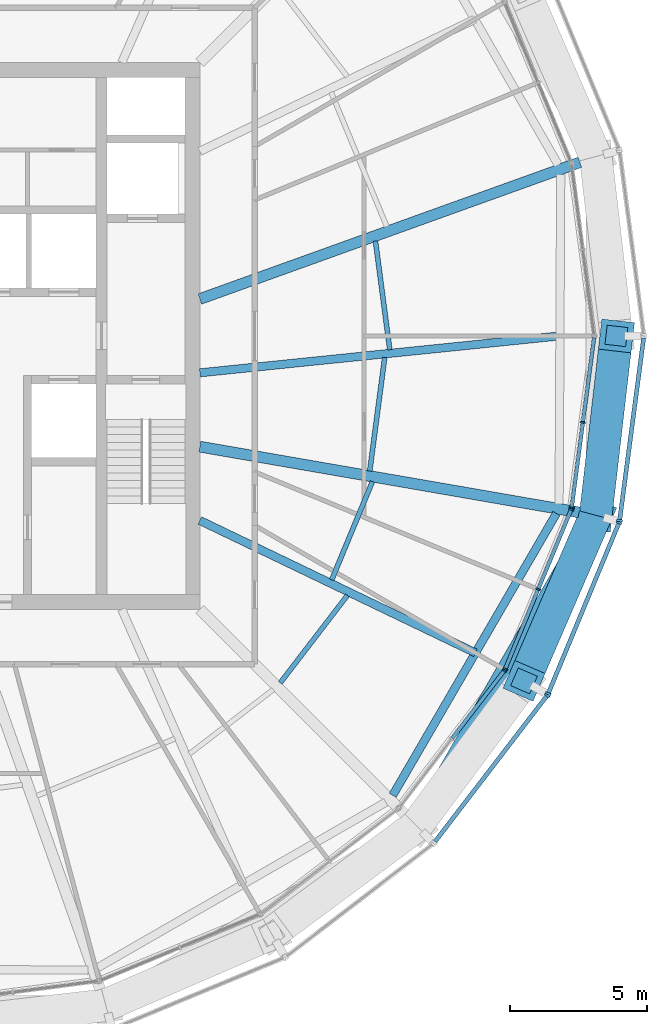
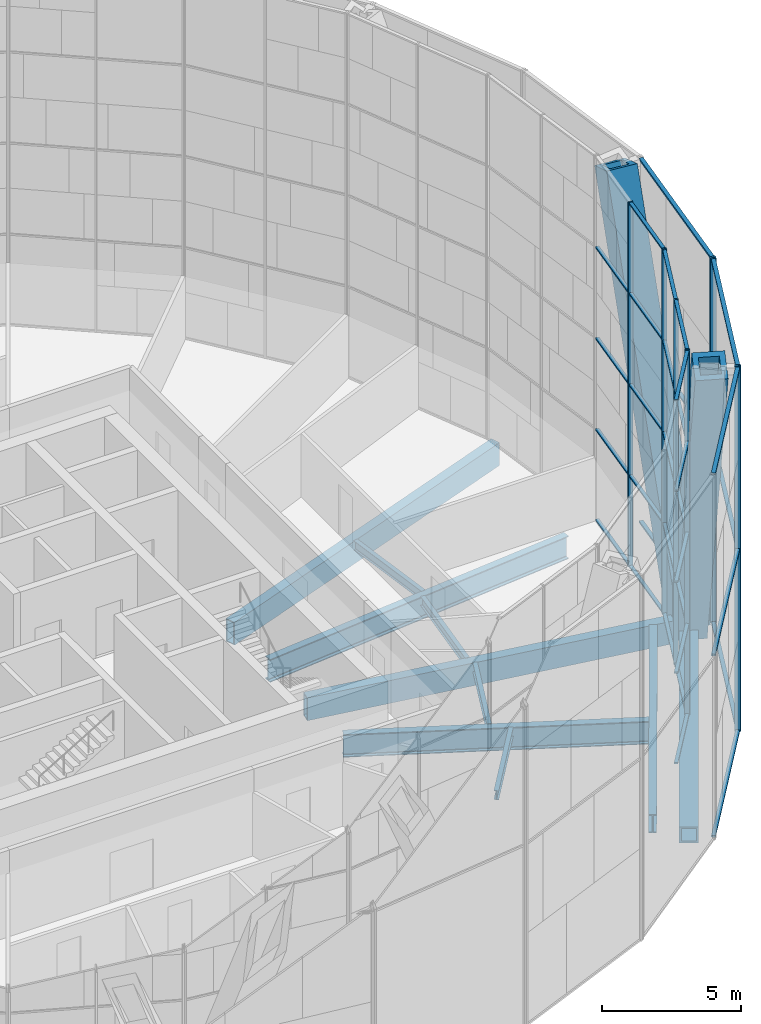
# One storey, part 6 of 28: 45 members, 10 beams, 6 elements without a shape of their own.
"""IFC4 building model written with IfcOpenShell, lengths in metres."""

import ifcopenshell
import ifcopenshell.guid

model = None  # the IFC model being written
_history = None  # IfcOwnerHistory: only IFC2X3 demands one
_inside = {}  # id of a spatial element -> (the spatial element, [elements in it])
_under = {}  # id of a project, library or spatial element -> (it, [spatial elements below it])
_declared = {}  # id of a project -> (the project, [libraries it declares])
_typed = {}  # id of a type object -> (the type object, [elements of that type])
_made_of = {}  # id of a material, layer set ... -> (it, [elements and type objects made of it])


def new_model(schema):
    """Start an empty IFC model of exactly this schema.

    Asked for "IFC4X3", IfcOpenShell would pick the latest addendum, in which some entities
    have other attributes; the version numbers below select the first issue.
    IFC2X3 requires an IfcOwnerHistory on every rooted entity: one is made here for all.
    """
    global model, _history
    if schema == "IFC4X3":
        model = ifcopenshell.file(schema_version=(4, 3, 0, 0))
    else:
        model = ifcopenshell.file(schema=schema)
    _inside.clear()
    _under.clear()
    _declared.clear()
    _typed.clear()
    _made_of.clear()
    _history = None
    if model.schema == "IFC2X3":
        org = make("IfcOrganization", Name="unknown")
        user = make(
            "IfcPersonAndOrganization",
            ThePerson=make("IfcPerson", FamilyName="unknown"),
            TheOrganization=org,
        )
        app = make(
            "IfcApplication",
            ApplicationDeveloper=org,
            Version="unknown",
            ApplicationFullName="unknown",
            ApplicationIdentifier="unknown",
        )
        _history = make(
            "IfcOwnerHistory",
            OwningUser=user,
            OwningApplication=app,
            ChangeAction="ADDED",
            CreationDate=0,
        )
    return model


def make(cls, **values):
    """One entity of the class cls with the attributes given. An attribute that is None is left unset."""
    return model.create_entity(
        cls, **{name: value for name, value in values.items() if value is not None}
    )


def rooted(cls, **values):
    """An entity with a GlobalId (a new one), such as an element, a storey or a relation."""
    return make(cls, GlobalId=ifcopenshell.guid.new(), OwnerHistory=_history, **values)


def si_unit(unit_type, name, prefix=None):
    """IfcSIUnit, for example si_unit("LENGTHUNIT", "METRE", prefix="MILLI")."""
    return make("IfcSIUnit", UnitType=unit_type, Prefix=prefix, Name=name)


def assignment(units):
    """IfcUnitAssignment: the units of a project."""
    return None if units is None else make("IfcUnitAssignment", Units=units)


def point(xyz):
    """IfcCartesianPoint."""
    return None if xyz is None else make("IfcCartesianPoint", Coordinates=xyz)


def direction(xyz):
    """IfcDirection."""
    return None if xyz is None else make("IfcDirection", DirectionRatios=xyz)


def frame(location, z_axis=None, x_axis=None):
    """IfcAxis2Placement3D, a coordinate frame: its origin and axes. An axis left out is left unset."""
    return make(
        "IfcAxis2Placement3D",
        Location=point(location),
        Axis=direction(z_axis),
        RefDirection=direction(x_axis),
    )


def frame_2d(location, x_axis=None):
    """IfcAxis2Placement2D, a coordinate frame in the plane: its origin and x axis."""
    return make(
        "IfcAxis2Placement2D", Location=point(location), RefDirection=direction(x_axis)
    )


def origin():
    """The frame at (0, 0, 0) with its axes left unset."""
    return frame((0.0, 0.0, 0.0))


def origin_2d():
    """The frame at (0, 0) in the plane with its x axis left unset."""
    return frame_2d((0.0, 0.0))


def place(relative_to, where):
    """IfcLocalPlacement: puts the frame where relative to a parent placement (None: the world)."""
    return make(
        "IfcLocalPlacement", PlacementRelTo=relative_to, RelativePlacement=where
    )


def context(
    kind, dimensions, precision=None, world=None, true_north=None, identifier=None
):
    """IfcGeometricRepresentationContext, for example the 3D "Model" context."""
    return make(
        "IfcGeometricRepresentationContext",
        ContextIdentifier=identifier,
        ContextType=kind,
        CoordinateSpaceDimension=dimensions,
        Precision=precision,
        WorldCoordinateSystem=world,
        TrueNorth=true_north,
    )


def subcontext(parent, identifier, kind, view, scale=None):
    """IfcGeometricRepresentationSubContext, for example "Body" below "Model"."""
    return make(
        "IfcGeometricRepresentationSubContext",
        ContextIdentifier=identifier,
        ContextType=kind,
        ParentContext=parent,
        TargetScale=scale,
        TargetView=view,
    )


def project(units=None, contexts=None):
    """IfcProject with its units and contexts."""
    return rooted(
        "IfcProject",
        Name="project",
        RepresentationContexts=contexts,
        UnitsInContext=assignment(units),
    )


def spatial(cls, under=None, at=None, **own):
    """A site, building, storey or space (cls), placed at a placement, below another one or the project."""
    s = rooted(cls, ObjectPlacement=at, **own)
    if under is not None:
        _under.setdefault(under.id(), (under, []))[1].append(s)
    return s


def profile(cls, at=None, kind="AREA", **sizes):
    """A parametric profile (cls). Its sizes go by their IFC names, for example OverallWidth=200.0."""
    return make(cls, ProfileType=kind, Position=at, **sizes)


def rectangle(**sizes):
    """IfcRectangleProfileDef."""
    return profile("IfcRectangleProfileDef", **sizes)


def hollow_rectangle(**sizes):
    """IfcRectangleHollowProfileDef."""
    return profile("IfcRectangleHollowProfileDef", **sizes)


def i_section(**sizes):
    """IfcIShapeProfileDef."""
    return profile("IfcIShapeProfileDef", **sizes)


def extrude(swept, where, along, depth):
    """IfcExtrudedAreaSolid: the profile swept, set in the frame where, extruded along a direction by depth."""
    return make(
        "IfcExtrudedAreaSolid",
        SweptArea=swept,
        Position=where,
        ExtrudedDirection=direction(along),
        Depth=depth,
    )


def shape(context_of_items, identifier, shape_type, items):
    """IfcShapeRepresentation: the items that make up one representation, for example the "Body"."""
    return make(
        "IfcShapeRepresentation",
        ContextOfItems=context_of_items,
        RepresentationIdentifier=identifier,
        RepresentationType=shape_type,
        Items=items,
    )


def material(Name=None, Category=None):
    """IfcMaterial."""
    return make("IfcMaterial", Name=Name, Category=Category)


def material_profile(
    of_material, cross_section, Name=None, Category=None, Priority=None
):
    """IfcMaterialProfile: a cross section and its material."""
    return make(
        "IfcMaterialProfile",
        Name=Name,
        Material=of_material,
        Profile=cross_section,
        Priority=Priority,
        Category=Category,
    )


def profile_set(profiles, Name=None, composite=None):
    """IfcMaterialProfileSet."""
    return make(
        "IfcMaterialProfileSet",
        Name=Name,
        MaterialProfiles=profiles,
        CompositeProfile=composite,
    )


def made_of(thing, what):
    """Note that an element or type object is made of a material, layer set ...; save() writes the relation."""
    if what is not None:
        _made_of.setdefault(what.id(), (what, []))[1].append(thing)
    return thing


def type_object(cls, material=None, **own):
    """A type object (cls), such as IfcWallType, which elements share."""
    return made_of(rooted(cls, **own), material)


def element(
    cls,
    number,
    at=None,
    inside=None,
    cuts=None,
    type_object=None,
    material=None,
    context=None,
    identifier="Body",
    shape_type=None,
    held_by="IfcProductDefinitionShape",
    body=None,
    shapes=None,
    **own,
):
    """One element of the class cls, such as IfcWall. Its Tag is "e" and its number.

    at: its placement. inside: the storey or other place that contains it. cuts: it is an
    opening in that element (IfcRelVoidsElement). A single representation is given by context,
    identifier, shape_type and body (its items); several are given by shapes. held_by: the class
    of the entity that holds the representations. save() writes the other relations.
    """
    e = rooted(cls, Tag="e%d" % number, ObjectPlacement=at, **own)
    if body is not None:
        shapes = [shape(context, identifier, shape_type, body)]
    if shapes is not None:
        e.Representation = make(held_by, Representations=shapes)
    if inside is not None:
        _inside.setdefault(inside.id(), (inside, []))[1].append(e)
    if cuts is not None:
        rooted(
            "IfcRelVoidsElement", RelatingBuildingElement=cuts, RelatedOpeningElement=e
        )
    if type_object is not None:
        _typed.setdefault(type_object.id(), (type_object, []))[1].append(e)
    return made_of(e, material)


def aggregate(whole, parts):
    """IfcRelAggregates: a whole, such as a stair, and the parts it consists of."""
    return rooted("IfcRelAggregates", RelatingObject=whole, RelatedObjects=parts)


def save(model, path):
    """Write the relations noted so far, then the file.

    IfcRelAggregates (storeys below a building ...), IfcRelContainedInSpatialStructure (elements
    in a storey), IfcRelDefinesByType, IfcRelAssociatesMaterial and IfcRelDeclares: one each for
    every whole, place, type object, material and project.
    """
    for whole, parts in _under.values():
        aggregate(whole, parts)
    for where, things in _inside.values():
        rooted(
            "IfcRelContainedInSpatialStructure",
            RelatedElements=things,
            RelatingStructure=where,
        )
    for kind, things in _typed.values():
        rooted("IfcRelDefinesByType", RelatedObjects=things, RelatingType=kind)
    for what, things in _made_of.values():
        rooted("IfcRelAssociatesMaterial", RelatedObjects=things, RelatingMaterial=what)
    for by, libraries in _declared.values():
        rooted("IfcRelDeclares", RelatingContext=by, RelatedDefinitions=libraries)
    model.write(path)


model = new_model("IFC4")

# Units and contexts
model_context = context("Model", 3, precision=1e-05, world=origin(), true_north=direction((0.0, 1.0)))
body_context = subcontext(model_context, "Body", "Model", "MODEL_VIEW")
ifc_project = project(units=[si_unit("LENGTHUNIT", "METRE"), si_unit("AREAUNIT", "SQUARE_METRE"), si_unit("VOLUMEUNIT", "CUBIC_METRE"), si_unit("PLANEANGLEUNIT", "RADIAN"), si_unit("MASSUNIT", "GRAM", prefix="KILO")], contexts=[model_context])

# Site, building, storey
site_placement = place(None, origin())
site = spatial("IfcSite", under=ifc_project, at=site_placement, CompositionType="ELEMENT")
building_placement = place(site_placement, origin())
building = spatial("IfcBuilding", under=site, at=building_placement, Name="Golbaran Civic Tower", CompositionType="ELEMENT")
storey_placement = place(building_placement, frame((0.0, 0.0, 134.0)))
storey = spatial("IfcBuildingStorey", under=building, at=storey_placement, Name="L32", CompositionType="ELEMENT", Elevation=134.0)

# Members
ifc_material_1 = material(Name="Steel S355", Category="steel")
ifc_material_profile_1 = material_profile(ifc_material_1, hollow_rectangle(XDim=1.199951171875, YDim=1.199951171875, WallThickness=0.219970703125, at=origin_2d()), Name="BOX 1200x1200x220")
ifc_profile_set_1 = profile_set([ifc_material_profile_1], Name="Steel S355")
member_type_1 = type_object("IfcMemberType", Name="DIAGRID DIAGONAL BOX 1200x1200x220", PredefinedType="BRACE", material=ifc_profile_set_1)
for number, where, z_axis, x_axis, name in (
    (1, (24.4765625, -6.55859375, -0.7099609375), (0.043754138493, 0.37892043084, 0.92439433277), (-0.993399215237, 0.114708322129, 0.0), "Diagonal D07-11R L32-L36"),
    (2, (24.4765625, -6.55859375, -0.7099609375), (-0.151560578437, -0.350021010135, 0.924399634102), (0.917665769882, -0.397353161289, 0.0), "Diagonal D07-11L L32-L36"),
):
    element("IfcMember", number, at=place(storey_placement, frame(where, z_axis=z_axis, x_axis=x_axis)), inside=storey, type_object=member_type_1, Name=name, PredefinedType="BRACE", context=body_context, shape_type="SweptSolid", body=[
        extrude(hollow_rectangle(XDim=1.199951171875, YDim=1.199951171875, WallThickness=0.219970703125, at=origin_2d()), origin(), (0.0, 0.0, 1.0), 17.30859375),
    ])

# Beams
ifc_material_profile_2 = material_profile(ifc_material_1, hollow_rectangle(XDim=0.699951171875, YDim=0.699951171875, WallThickness=0.080078125, at=origin_2d()), Name="BOX 700x700x80")
ifc_profile_set_2 = profile_set([ifc_material_profile_2], Name="Steel S355")
beam_type_1 = type_object("IfcBeamType", Name="DIAGRID RING TIE BOX 700x700x80", PredefinedType="BEAM", material=ifc_profile_set_2)
beam_1_placement = place(storey_placement, frame((17.91796875, -17.91796875, -0.7099609375), z_axis=(0.500014611105, 0.866016967894, 0.0), x_axis=(-0.866016967894, 0.500014611105, 0.0)))
element("IfcBeam", 3, at=beam_1_placement, inside=storey, type_object=beam_type_1, Name="Ring tie 315.00 L32", PredefinedType="BEAM", context=body_context, shape_type="SweptSolid", body=[
    extrude(hollow_rectangle(XDim=0.699951171875, YDim=0.699951171875, WallThickness=0.080078125, at=origin_2d()), origin(), (0.0, 0.0, 1.0), 13.11669921875),
])
ifc_material_profile_3 = material_profile(ifc_material_1, i_section(OverallWidth=0.300048828125, OverallDepth=0.800048828125, WebThickness=0.017578125, FlangeThickness=0.032958984375, FilletRadius=0.030029296875, at=origin_2d()), Name="HEB 800")
ifc_profile_set_3 = profile_set([ifc_material_profile_3], Name="Steel S355")
beam_type_2 = type_object("IfcBeamType", Name="EDGE BEAM HEB 800", PredefinedType="BEAM", material=ifc_profile_set_3)
beam_2_placement = place(storey_placement, frame((17.05419921875, -16.799560546875, -0.60009765625), z_axis=(0.502208152449, 0.864746767333, 0.0), x_axis=(-0.864746767333, 0.502208152449, 0.0)))
element("IfcBeam", 4, at=beam_2_placement, inside=storey, type_object=beam_type_2, Name="Edge beam 315.00 L32", PredefinedType="BEAM", context=body_context, shape_type="SweptSolid", body=[
    extrude(i_section(OverallWidth=0.300048828125, OverallDepth=0.800048828125, WebThickness=0.017578125, FlangeThickness=0.032958984375, FilletRadius=0.030029296875, at=origin_2d()), origin(), (0.0, 0.0, 1.0), 11.91943359375),
])
ifc_material_profile_4 = material_profile(ifc_material_1, i_section(OverallWidth=0.179931640625, OverallDepth=0.39990234375, WebThickness=0.008544921875, FlangeThickness=0.013427734375, FilletRadius=0.02099609375, at=origin_2d()), Name="IPE 400")
ifc_profile_set_4 = profile_set([ifc_material_profile_4], Name="Steel S355")
beam_type_3 = type_object("IfcBeamType", Name="FLOOR INFILL BEAM IPE 400", PredefinedType="BEAM", material=ifc_profile_set_4)
beam_3_placement = place(storey_placement, frame((16.94580078125, -0.50732421875, -0.39990234375), z_axis=(-0.130504898859, 0.991447664465, 0.0), x_axis=(-0.991447664465, -0.130504898859, 0.0)))
element("IfcBeam", 5, at=beam_3_placement, inside=storey, type_object=beam_type_3, Name="Infill beam 7.50 L32", PredefinedType="BEAM", context=body_context, shape_type="SweptSolid", body=[
    extrude(i_section(OverallWidth=0.179931640625, OverallDepth=0.39990234375, WebThickness=0.008544921875, FlangeThickness=0.013427734375, FilletRadius=0.02099609375, at=origin_2d()), origin(), (0.0, 0.0, 1.0), 4.010986328125),
])
beam_4_placement = place(storey_placement, frame((12.941650390625, -12.68701171875, -0.39990234375), z_axis=(0.608777144905, 0.793341280812, 0.0), x_axis=(-0.793341280812, 0.608777144905, 0.0)))
element("IfcBeam", 6, at=beam_4_placement, inside=storey, type_object=beam_type_3, Name="Infill beam 322.50 L32", PredefinedType="BEAM", context=body_context, shape_type="SweptSolid", body=[
    extrude(i_section(OverallWidth=0.179931640625, OverallDepth=0.39990234375, WebThickness=0.008544921875, FlangeThickness=0.013427734375, FilletRadius=0.02099609375, at=origin_2d()), origin(), (0.0, 0.0, 1.0), 4.033203125),
])
beam_5_placement = place(storey_placement, frame((14.822021484375, -8.922607421875, -0.39990234375), z_axis=(0.382663850162, 0.923887643482, 0.0), x_axis=(-0.923887643482, 0.382663850162, 0.0)))
element("IfcBeam", 7, at=beam_5_placement, inside=storey, type_object=beam_type_3, Name="Infill beam 337.50 L32", PredefinedType="BEAM", context=body_context, shape_type="SweptSolid", body=[
    extrude(i_section(OverallWidth=0.179931640625, OverallDepth=0.39990234375, WebThickness=0.008544921875, FlangeThickness=0.013427734375, FilletRadius=0.02099609375, at=origin_2d()), origin(), (0.0, 0.0, 1.0), 3.892333984375),
])
beam_6_placement = place(storey_placement, frame((16.212890625, -4.94384765625, -0.39990234375), z_axis=(0.130511759414, 0.991446761382, 0.0), x_axis=(-0.991446761382, 0.130511759414, 0.0)))
element("IfcBeam", 8, at=beam_6_placement, inside=storey, type_object=beam_type_3, Name="Infill beam 352.50 L32", PredefinedType="BEAM", context=body_context, shape_type="SweptSolid", body=[
    extrude(i_section(OverallWidth=0.179931640625, OverallDepth=0.39990234375, WebThickness=0.008544921875, FlangeThickness=0.013427734375, FilletRadius=0.02099609375, at=origin_2d()), origin(), (0.0, 0.0, 1.0), 4.192138671875),
])

# Curtain wall, member
ifc_material_2 = material(Name="Aluminium and glass", Category="aluminium")
curtain_wall_type_1 = type_object("IfcCurtainWallType", Name="INNER SKIN CURTAIN WALL", PredefinedType="NOTDEFINED", material=ifc_material_2)
curtain_wall_1_placement = place(storey_placement, origin())
curtain_wall_1 = element("IfcCurtainWall", 9, at=curtain_wall_1_placement, inside=storey, type_object=curtain_wall_type_1, Name="Inner skin L32 facet 22 CW1", ObjectType="INNER SKIN", PredefinedType="USERDEFINED")
ifc_material_3 = material(Name="Aluminium", Category="aluminium")
ifc_material_profile_5 = material_profile(ifc_material_3, rectangle(XDim=0.179931640625, YDim=0.06494140625, at=origin_2d()), Name="INNER SKIN CURTAIN WALL MULLION")
ifc_profile_set_5 = profile_set([ifc_material_profile_5], Name="Aluminium")
member_type_2 = type_object("IfcMemberType", Name="INNER SKIN CURTAIN WALL MULLION", PredefinedType="MULLION", material=ifc_profile_set_5)
member_1_placement = place(storey_placement, frame((21.1328125, -12.23828125, 0.0), z_axis=(0.0, 0.0, 1.0), x_axis=(-0.793353340259, 0.60876142905, 0.0)))
member_1 = element("IfcMember", 10, at=member_1_placement, type_object=member_type_2, Name="CW1 mullion 3", PredefinedType="MULLION", context=body_context, shape_type="SweptSolid", body=[
    extrude(rectangle(XDim=0.179931640625, YDim=0.06494140625, at=origin_2d()), origin(), (0.0, 0.0, 1.0), 16.0),
])

# Curtain wall, members
curtain_wall_2_placement = place(storey_placement, origin())
curtain_wall_2 = element("IfcCurtainWall", 11, at=curtain_wall_2_placement, inside=storey, type_object=curtain_wall_type_1, Name="Inner skin L32 facet 23 CW1", ObjectType="INNER SKIN", PredefinedType="USERDEFINED")
member_2_placement = place(storey_placement, frame((21.1650390625, -12.182373046875, 0.0), z_axis=(0.0, 0.0, 1.0), x_axis=(-0.923879532485, 0.38268343243, 0.0)))
member_2 = element("IfcMember", 12, at=member_2_placement, type_object=member_type_2, Name="CW1 mullion 1", PredefinedType="MULLION", context=body_context, shape_type="SweptSolid", body=[
    extrude(rectangle(XDim=0.179931640625, YDim=0.06494140625, at=origin_2d()), origin(), (0.0, 0.0, 1.0), 16.0),
])
member_3_placement = place(storey_placement, frame((22.372802734375, -9.26708984375, 0.0), z_axis=(0.0, 0.0, 1.0), x_axis=(-0.923879532485, 0.38268343243, 0.0)))
member_3 = element("IfcMember", 13, at=member_3_placement, type_object=member_type_2, Name="CW1 mullion 2", PredefinedType="MULLION", context=body_context, shape_type="SweptSolid", body=[
    extrude(rectangle(XDim=0.179931640625, YDim=0.06494140625, at=origin_2d()), origin(), (0.0, 0.0, 1.0), 16.0),
])
member_4_placement = place(storey_placement, frame((23.580322265625, -6.3515625, 0.0), z_axis=(0.0, 0.0, 1.0), x_axis=(-0.923879532485, 0.38268343243, 0.0)))
member_4 = element("IfcMember", 14, at=member_4_placement, type_object=member_type_2, Name="CW1 mullion 3", PredefinedType="MULLION", context=body_context, shape_type="SweptSolid", body=[
    extrude(rectangle(XDim=0.179931640625, YDim=0.06494140625, at=origin_2d()), origin(), (0.0, 0.0, 1.0), 16.0),
])

curtain_wall_3_placement = place(storey_placement, origin())
curtain_wall_3 = element("IfcCurtainWall", 15, at=curtain_wall_3_placement, inside=storey, type_object=curtain_wall_type_1, Name="Inner skin L32 facet 24 CW1", ObjectType="INNER SKIN", PredefinedType="USERDEFINED")
member_5_placement = place(storey_placement, frame((23.596923828125, -6.28955078125, 0.0), z_axis=(0.0, 0.0, 1.0), x_axis=(-0.991444861372, 0.130526192237, 0.0)))
member_5 = element("IfcMember", 16, at=member_5_placement, type_object=member_type_2, Name="CW1 mullion 1", PredefinedType="MULLION", context=body_context, shape_type="SweptSolid", body=[
    extrude(rectangle(XDim=0.179931640625, YDim=0.06494140625, at=origin_2d()), origin(), (0.0, 0.0, 1.0), 16.0),
])
member_6_placement = place(storey_placement, frame((24.0087890625, -3.160888671875, 0.0), z_axis=(0.0, 0.0, 1.0), x_axis=(-0.991444861372, 0.130526192237, 0.0)))
member_6 = element("IfcMember", 17, at=member_6_placement, type_object=member_type_2, Name="CW1 mullion 2", PredefinedType="MULLION", context=body_context, shape_type="SweptSolid", body=[
    extrude(rectangle(XDim=0.179931640625, YDim=0.06494140625, at=origin_2d()), origin(), (0.0, 0.0, 1.0), 16.0),
])

# Member
ifc_material_profile_6 = material_profile(ifc_material_3, rectangle(XDim=0.139892578125, YDim=0.06494140625, at=origin_2d()), Name="INNER SKIN CURTAIN WALL TRANSOM")
ifc_profile_set_6 = profile_set([ifc_material_profile_6], Name="Aluminium")
member_type_3 = type_object("IfcMemberType", Name="INNER SKIN CURTAIN WALL TRANSOM", PredefinedType="USERDEFINED", material=ifc_profile_set_6)
member_7_placement = place(storey_placement, frame((19.231689453125, -14.716064453125, 0.032470703125), z_axis=(0.608748255763, 0.793363448304, 0.0), x_axis=(-0.793363448304, 0.608748255763, 0.0)))
member_7 = element("IfcMember", 18, at=member_7_placement, type_object=member_type_3, Name="CW1 transom 2.1", ObjectType="TRANSOM", PredefinedType="USERDEFINED", context=body_context, shape_type="SweptSolid", body=[
    extrude(rectangle(XDim=0.139892578125, YDim=0.06494140625, at=origin_2d()), origin(), (0.0, 0.0, 1.0), 3.090576171875),
])

member_8_placement = place(storey_placement, frame((19.231689453125, -14.716064453125, 4.0), z_axis=(0.608748255763, 0.793363448304, 0.0), x_axis=(-0.793363448304, 0.608748255763, 0.0)))
member_8 = element("IfcMember", 19, at=member_8_placement, type_object=member_type_3, Name="CW1 transom 2.2", ObjectType="TRANSOM", PredefinedType="USERDEFINED", context=body_context, shape_type="SweptSolid", body=[
    extrude(rectangle(XDim=0.139892578125, YDim=0.06494140625, at=origin_2d()), origin(), (0.0, 0.0, 1.0), 3.090576171875),
])

member_9_placement = place(storey_placement, frame((19.231689453125, -14.716064453125, 8.0), z_axis=(0.608748255763, 0.793363448304, 0.0), x_axis=(-0.793363448304, 0.608748255763, 0.0)))
member_9 = element("IfcMember", 20, at=member_9_placement, type_object=member_type_3, Name="CW1 transom 2.3", ObjectType="TRANSOM", PredefinedType="USERDEFINED", context=body_context, shape_type="SweptSolid", body=[
    extrude(rectangle(XDim=0.139892578125, YDim=0.06494140625, at=origin_2d()), origin(), (0.0, 0.0, 1.0), 3.090576171875),
])

member_10_placement = place(storey_placement, frame((19.231689453125, -14.716064453125, 12.0), z_axis=(0.608748255763, 0.793363448304, 0.0), x_axis=(-0.793363448304, 0.608748255763, 0.0)))
member_10 = element("IfcMember", 21, at=member_10_placement, type_object=member_type_3, Name="CW1 transom 2.4", ObjectType="TRANSOM", PredefinedType="USERDEFINED", context=body_context, shape_type="SweptSolid", body=[
    extrude(rectangle(XDim=0.139892578125, YDim=0.06494140625, at=origin_2d()), origin(), (0.0, 0.0, 1.0), 3.090576171875),
])

member_11_placement = place(storey_placement, frame((19.231689453125, -14.716064453125, 15.967529296875), z_axis=(0.608748255763, 0.793363448304, 0.0), x_axis=(-0.793363448304, 0.608748255763, 0.0)))
member_11 = element("IfcMember", 22, at=member_11_placement, type_object=member_type_3, Name="CW1 transom 2.5", ObjectType="TRANSOM", PredefinedType="USERDEFINED", context=body_context, shape_type="SweptSolid", body=[
    extrude(rectangle(XDim=0.139892578125, YDim=0.06494140625, at=origin_2d()), origin(), (0.0, 0.0, 1.0), 3.090576171875),
])

aggregate(curtain_wall_1, [member_1, member_7, member_8, member_9, member_10, member_11])

member_12_placement = place(storey_placement, frame((21.177490234375, -12.15234375, 0.032470703125), z_axis=(0.382735511786, 0.923857958789, 0.0), x_axis=(-0.923857958789, 0.382735511786, 0.0)))
member_12 = element("IfcMember", 23, at=member_12_placement, type_object=member_type_3, Name="CW1 transom 1.1", ObjectType="TRANSOM", PredefinedType="USERDEFINED", context=body_context, shape_type="SweptSolid", body=[
    extrude(rectangle(XDim=0.139892578125, YDim=0.06494140625, at=origin_2d()), origin(), (0.0, 0.0, 1.0), 3.090576171875),
])

member_13_placement = place(storey_placement, frame((21.177490234375, -12.15234375, 4.0), z_axis=(0.382735511786, 0.923857958789, 0.0), x_axis=(-0.923857958789, 0.382735511786, 0.0)))
member_13 = element("IfcMember", 24, at=member_13_placement, type_object=member_type_3, Name="CW1 transom 1.2", ObjectType="TRANSOM", PredefinedType="USERDEFINED", context=body_context, shape_type="SweptSolid", body=[
    extrude(rectangle(XDim=0.139892578125, YDim=0.06494140625, at=origin_2d()), origin(), (0.0, 0.0, 1.0), 3.090576171875),
])

member_14_placement = place(storey_placement, frame((21.177490234375, -12.15234375, 8.0), z_axis=(0.382735511786, 0.923857958789, 0.0), x_axis=(-0.923857958789, 0.382735511786, 0.0)))
member_14 = element("IfcMember", 25, at=member_14_placement, type_object=member_type_3, Name="CW1 transom 1.3", ObjectType="TRANSOM", PredefinedType="USERDEFINED", context=body_context, shape_type="SweptSolid", body=[
    extrude(rectangle(XDim=0.139892578125, YDim=0.06494140625, at=origin_2d()), origin(), (0.0, 0.0, 1.0), 3.090576171875),
])

member_15_placement = place(storey_placement, frame((21.177490234375, -12.15234375, 12.0), z_axis=(0.382735511786, 0.923857958789, 0.0), x_axis=(-0.923857958789, 0.382735511786, 0.0)))
member_15 = element("IfcMember", 26, at=member_15_placement, type_object=member_type_3, Name="CW1 transom 1.4", ObjectType="TRANSOM", PredefinedType="USERDEFINED", context=body_context, shape_type="SweptSolid", body=[
    extrude(rectangle(XDim=0.139892578125, YDim=0.06494140625, at=origin_2d()), origin(), (0.0, 0.0, 1.0), 3.090576171875),
])

member_16_placement = place(storey_placement, frame((21.177490234375, -12.15234375, 15.967529296875), z_axis=(0.382735511786, 0.923857958789, 0.0), x_axis=(-0.923857958789, 0.382735511786, 0.0)))
member_16 = element("IfcMember", 27, at=member_16_placement, type_object=member_type_3, Name="CW1 transom 1.5", ObjectType="TRANSOM", PredefinedType="USERDEFINED", context=body_context, shape_type="SweptSolid", body=[
    extrude(rectangle(XDim=0.139892578125, YDim=0.06494140625, at=origin_2d()), origin(), (0.0, 0.0, 1.0), 3.090576171875),
])

member_17_placement = place(storey_placement, frame((22.38525390625, -9.237060546875, 0.032470703125), z_axis=(0.382640157244, 0.923897456466, 0.0), x_axis=(-0.923897456466, 0.382640157244, 0.0)))
member_17 = element("IfcMember", 28, at=member_17_placement, type_object=member_type_3, Name="CW1 transom 2.1", ObjectType="TRANSOM", PredefinedType="USERDEFINED", context=body_context, shape_type="SweptSolid", body=[
    extrude(rectangle(XDim=0.139892578125, YDim=0.06494140625, at=origin_2d()), origin(), (0.0, 0.0, 1.0), 3.090576171875),
])

member_18_placement = place(storey_placement, frame((22.38525390625, -9.237060546875, 4.0), z_axis=(0.382640157244, 0.923897456466, 0.0), x_axis=(-0.923897456466, 0.382640157244, 0.0)))
member_18 = element("IfcMember", 29, at=member_18_placement, type_object=member_type_3, Name="CW1 transom 2.2", ObjectType="TRANSOM", PredefinedType="USERDEFINED", context=body_context, shape_type="SweptSolid", body=[
    extrude(rectangle(XDim=0.139892578125, YDim=0.06494140625, at=origin_2d()), origin(), (0.0, 0.0, 1.0), 3.090576171875),
])

member_19_placement = place(storey_placement, frame((22.38525390625, -9.237060546875, 8.0), z_axis=(0.382640157244, 0.923897456466, 0.0), x_axis=(-0.923897456466, 0.382640157244, 0.0)))
member_19 = element("IfcMember", 30, at=member_19_placement, type_object=member_type_3, Name="CW1 transom 2.3", ObjectType="TRANSOM", PredefinedType="USERDEFINED", context=body_context, shape_type="SweptSolid", body=[
    extrude(rectangle(XDim=0.139892578125, YDim=0.06494140625, at=origin_2d()), origin(), (0.0, 0.0, 1.0), 3.090576171875),
])

member_20_placement = place(storey_placement, frame((22.38525390625, -9.237060546875, 12.0), z_axis=(0.382640157244, 0.923897456466, 0.0), x_axis=(-0.923897456466, 0.382640157244, 0.0)))
member_20 = element("IfcMember", 31, at=member_20_placement, type_object=member_type_3, Name="CW1 transom 2.4", ObjectType="TRANSOM", PredefinedType="USERDEFINED", context=body_context, shape_type="SweptSolid", body=[
    extrude(rectangle(XDim=0.139892578125, YDim=0.06494140625, at=origin_2d()), origin(), (0.0, 0.0, 1.0), 3.090576171875),
])

member_21_placement = place(storey_placement, frame((22.38525390625, -9.237060546875, 15.967529296875), z_axis=(0.382640157244, 0.923897456466, 0.0), x_axis=(-0.923897456466, 0.382640157244, 0.0)))
member_21 = element("IfcMember", 32, at=member_21_placement, type_object=member_type_3, Name="CW1 transom 2.5", ObjectType="TRANSOM", PredefinedType="USERDEFINED", context=body_context, shape_type="SweptSolid", body=[
    extrude(rectangle(XDim=0.139892578125, YDim=0.06494140625, at=origin_2d()), origin(), (0.0, 0.0, 1.0), 3.090576171875),
])

aggregate(curtain_wall_2, [member_2, member_3, member_4, member_12, member_13, member_14, member_15, member_16, member_17, member_18, member_19, member_20, member_21])

member_22_placement = place(storey_placement, frame((23.601318359375, -6.25732421875, 0.032470703125), z_axis=(0.13049742388, 0.991448648373, 0.0), x_axis=(-0.991448648373, 0.13049742388, 0.0)))
member_22 = element("IfcMember", 33, at=member_22_placement, type_object=member_type_3, Name="CW1 transom 1.1", ObjectType="TRANSOM", PredefinedType="USERDEFINED", context=body_context, shape_type="SweptSolid", body=[
    extrude(rectangle(XDim=0.139892578125, YDim=0.06494140625, at=origin_2d()), origin(), (0.0, 0.0, 1.0), 3.090576171875),
])

member_23_placement = place(storey_placement, frame((23.601318359375, -6.25732421875, 4.0), z_axis=(0.13049742388, 0.991448648373, 0.0), x_axis=(-0.991448648373, 0.13049742388, 0.0)))
member_23 = element("IfcMember", 34, at=member_23_placement, type_object=member_type_3, Name="CW1 transom 1.2", ObjectType="TRANSOM", PredefinedType="USERDEFINED", context=body_context, shape_type="SweptSolid", body=[
    extrude(rectangle(XDim=0.139892578125, YDim=0.06494140625, at=origin_2d()), origin(), (0.0, 0.0, 1.0), 3.090576171875),
])

member_24_placement = place(storey_placement, frame((23.601318359375, -6.25732421875, 8.0), z_axis=(0.13049742388, 0.991448648373, 0.0), x_axis=(-0.991448648373, 0.13049742388, 0.0)))
member_24 = element("IfcMember", 35, at=member_24_placement, type_object=member_type_3, Name="CW1 transom 1.3", ObjectType="TRANSOM", PredefinedType="USERDEFINED", context=body_context, shape_type="SweptSolid", body=[
    extrude(rectangle(XDim=0.139892578125, YDim=0.06494140625, at=origin_2d()), origin(), (0.0, 0.0, 1.0), 3.090576171875),
])

member_25_placement = place(storey_placement, frame((23.601318359375, -6.25732421875, 12.0), z_axis=(0.13049742388, 0.991448648373, 0.0), x_axis=(-0.991448648373, 0.13049742388, 0.0)))
member_25 = element("IfcMember", 36, at=member_25_placement, type_object=member_type_3, Name="CW1 transom 1.4", ObjectType="TRANSOM", PredefinedType="USERDEFINED", context=body_context, shape_type="SweptSolid", body=[
    extrude(rectangle(XDim=0.139892578125, YDim=0.06494140625, at=origin_2d()), origin(), (0.0, 0.0, 1.0), 3.090576171875),
])

member_26_placement = place(storey_placement, frame((23.601318359375, -6.25732421875, 15.967529296875), z_axis=(0.13049742388, 0.991448648373, 0.0), x_axis=(-0.991448648373, 0.13049742388, 0.0)))
member_26 = element("IfcMember", 37, at=member_26_placement, type_object=member_type_3, Name="CW1 transom 1.5", ObjectType="TRANSOM", PredefinedType="USERDEFINED", context=body_context, shape_type="SweptSolid", body=[
    extrude(rectangle(XDim=0.139892578125, YDim=0.06494140625, at=origin_2d()), origin(), (0.0, 0.0, 1.0), 3.090576171875),
])

member_27_placement = place(storey_placement, frame((24.01318359375, -3.128662109375, 0.032470703125), z_axis=(0.13049742388, 0.991448648373, 0.0), x_axis=(-0.991448648373, 0.13049742388, 0.0)))
member_27 = element("IfcMember", 38, at=member_27_placement, type_object=member_type_3, Name="CW1 transom 2.1", ObjectType="TRANSOM", PredefinedType="USERDEFINED", context=body_context, shape_type="SweptSolid", body=[
    extrude(rectangle(XDim=0.139892578125, YDim=0.06494140625, at=origin_2d()), origin(), (0.0, 0.0, 1.0), 3.090576171875),
])

member_28_placement = place(storey_placement, frame((24.01318359375, -3.128662109375, 4.0), z_axis=(0.13049742388, 0.991448648373, 0.0), x_axis=(-0.991448648373, 0.13049742388, 0.0)))
member_28 = element("IfcMember", 39, at=member_28_placement, type_object=member_type_3, Name="CW1 transom 2.2", ObjectType="TRANSOM", PredefinedType="USERDEFINED", context=body_context, shape_type="SweptSolid", body=[
    extrude(rectangle(XDim=0.139892578125, YDim=0.06494140625, at=origin_2d()), origin(), (0.0, 0.0, 1.0), 3.090576171875),
])

member_29_placement = place(storey_placement, frame((24.01318359375, -3.128662109375, 8.0), z_axis=(0.13049742388, 0.991448648373, 0.0), x_axis=(-0.991448648373, 0.13049742388, 0.0)))
member_29 = element("IfcMember", 40, at=member_29_placement, type_object=member_type_3, Name="CW1 transom 2.3", ObjectType="TRANSOM", PredefinedType="USERDEFINED", context=body_context, shape_type="SweptSolid", body=[
    extrude(rectangle(XDim=0.139892578125, YDim=0.06494140625, at=origin_2d()), origin(), (0.0, 0.0, 1.0), 3.090576171875),
])

member_30_placement = place(storey_placement, frame((24.01318359375, -3.128662109375, 12.0), z_axis=(0.13049742388, 0.991448648373, 0.0), x_axis=(-0.991448648373, 0.13049742388, 0.0)))
member_30 = element("IfcMember", 41, at=member_30_placement, type_object=member_type_3, Name="CW1 transom 2.4", ObjectType="TRANSOM", PredefinedType="USERDEFINED", context=body_context, shape_type="SweptSolid", body=[
    extrude(rectangle(XDim=0.139892578125, YDim=0.06494140625, at=origin_2d()), origin(), (0.0, 0.0, 1.0), 3.090576171875),
])

aggregate(curtain_wall_3, [member_5, member_6, member_22, member_23, member_24, member_25, member_26, member_27, member_28, member_29, member_30])

# Curtain wall, member
curtain_wall_type_2 = type_object("IfcCurtainWallType", Name="OUTER SKIN TERRACOTTA SCREEN", PredefinedType="NOTDEFINED", material=ifc_material_2)
curtain_wall_4_placement = place(storey_placement, origin())
curtain_wall_4 = element("IfcCurtainWall", 42, at=curtain_wall_4_placement, inside=storey, type_object=curtain_wall_type_2, Name="Outer skin L32 facet 22 CW3", ObjectType="OUTER SKIN", PredefinedType="USERDEFINED")
ifc_material_profile_7 = material_profile(ifc_material_3, rectangle(XDim=0.219970703125, YDim=0.080078125, at=origin_2d()), Name="OUTER SKIN TERRACOTTA SCREEN MULLION")
ifc_profile_set_7 = profile_set([ifc_material_profile_7], Name="Aluminium")
member_type_4 = type_object("IfcMemberType", Name="OUTER SKIN TERRACOTTA SCREEN MULLION", PredefinedType="MULLION", material=ifc_profile_set_7)
member_31_placement = place(storey_placement, frame((22.7001953125, -13.15185546875, -0.7099609375), z_axis=(0.0, 0.0, 1.0), x_axis=(-0.79335334027, 0.608761429036, 0.0)))
member_31 = element("IfcMember", 43, at=member_31_placement, type_object=member_type_4, Name="CW3 mullion 2", PredefinedType="MULLION", context=body_context, shape_type="SweptSolid", body=[
    extrude(rectangle(XDim=0.219970703125, YDim=0.080078125, at=origin_2d()), origin(), (0.0, 0.0, 1.0), 16.0),
])

# Curtain wall, members
curtain_wall_5_placement = place(storey_placement, origin())
curtain_wall_5 = element("IfcCurtainWall", 44, at=curtain_wall_5_placement, inside=storey, type_object=curtain_wall_type_2, Name="Outer skin L32 facet 23 CW3", ObjectType="OUTER SKIN", PredefinedType="USERDEFINED")
member_32_placement = place(storey_placement, frame((22.73974609375, -13.0830078125, -0.7099609375), z_axis=(0.0, 0.0, 1.0), x_axis=(-0.923879532498, 0.382683432397, 0.0)))
member_32 = element("IfcMember", 45, at=member_32_placement, type_object=member_type_4, Name="CW3 mullion 1", PredefinedType="MULLION", context=body_context, shape_type="SweptSolid", body=[
    extrude(rectangle(XDim=0.219970703125, YDim=0.080078125, at=origin_2d()), origin(), (0.0, 0.0, 1.0), 16.0),
])
member_33_placement = place(storey_placement, frame((25.33056640625, -6.828369140625, -0.7099609375), z_axis=(0.0, 0.0, 1.0), x_axis=(-0.923879532498, 0.382683432397, 0.0)))
member_33 = element("IfcMember", 46, at=member_33_placement, type_object=member_type_4, Name="CW3 mullion 2", PredefinedType="MULLION", context=body_context, shape_type="SweptSolid", body=[
    extrude(rectangle(XDim=0.219970703125, YDim=0.080078125, at=origin_2d()), origin(), (0.0, 0.0, 1.0), 16.0),
])

# Curtain wall, member
curtain_wall_6_placement = place(storey_placement, origin())
curtain_wall_6 = element("IfcCurtainWall", 47, at=curtain_wall_6_placement, inside=storey, type_object=curtain_wall_type_2, Name="Outer skin L32 facet 24 CW3", ObjectType="OUTER SKIN", PredefinedType="USERDEFINED")
member_34_placement = place(storey_placement, frame((25.35107421875, -6.751708984375, -0.7099609375), z_axis=(0.0, 0.0, 1.0), x_axis=(-0.991444861376, 0.130526192203, 0.0)))
member_34 = element("IfcMember", 48, at=member_34_placement, type_object=member_type_4, Name="CW3 mullion 1", PredefinedType="MULLION", context=body_context, shape_type="SweptSolid", body=[
    extrude(rectangle(XDim=0.219970703125, YDim=0.080078125, at=origin_2d()), origin(), (0.0, 0.0, 1.0), 16.0),
])

# Member
ifc_material_profile_8 = material_profile(ifc_material_3, rectangle(XDim=0.159912109375, YDim=0.080078125, at=origin_2d()), Name="OUTER SKIN TERRACOTTA SCREEN TRANSOM")
ifc_profile_set_8 = profile_set([ifc_material_profile_8], Name="Aluminium")
member_type_5 = type_object("IfcMemberType", Name="OUTER SKIN TERRACOTTA SCREEN TRANSOM", PredefinedType="USERDEFINED", material=ifc_profile_set_8)
member_35_placement = place(storey_placement, frame((18.603271484375, -18.490966796875, -0.669921875), z_axis=(0.608745609527, 0.793365478756, 0.0), x_axis=(-0.793365478756, 0.608745609527, 0.0)))
member_35 = element("IfcMember", 49, at=member_35_placement, type_object=member_type_5, Name="CW3 transom 1.1", ObjectType="TRANSOM", PredefinedType="USERDEFINED", context=body_context, shape_type="SweptSolid", body=[
    extrude(rectangle(XDim=0.159912109375, YDim=0.080078125, at=origin_2d()), origin(), (0.0, 0.0, 1.0), 6.68994140625),
])

member_36_placement = place(storey_placement, frame((18.603271484375, -18.490966796875, 7.2900390625), z_axis=(0.608745609527, 0.793365478756, 0.0), x_axis=(-0.793365478756, 0.608745609527, 0.0)))
member_36 = element("IfcMember", 50, at=member_36_placement, type_object=member_type_5, Name="CW3 transom 1.2", ObjectType="TRANSOM", PredefinedType="USERDEFINED", context=body_context, shape_type="SweptSolid", body=[
    extrude(rectangle(XDim=0.159912109375, YDim=0.080078125, at=origin_2d()), origin(), (0.0, 0.0, 1.0), 6.68994140625),
])

member_37_placement = place(storey_placement, frame((18.603271484375, -18.490966796875, 15.25), z_axis=(0.608745609527, 0.793365478756, 0.0), x_axis=(-0.793365478756, 0.608745609527, 0.0)))
member_37 = element("IfcMember", 51, at=member_37_placement, type_object=member_type_5, Name="CW3 transom 1.3", ObjectType="TRANSOM", PredefinedType="USERDEFINED", context=body_context, shape_type="SweptSolid", body=[
    extrude(rectangle(XDim=0.159912109375, YDim=0.080078125, at=origin_2d()), origin(), (0.0, 0.0, 1.0), 6.68994140625),
])

aggregate(curtain_wall_4, [member_31, member_35, member_36, member_37])

member_38_placement = place(storey_placement, frame((22.755126953125, -13.046142578125, -0.669921875), z_axis=(0.382663348985, 0.923887851064, 0.0), x_axis=(-0.923887851064, 0.382663348985, 0.0)))
member_38 = element("IfcMember", 52, at=member_38_placement, type_object=member_type_5, Name="CW3 transom 1.1", ObjectType="TRANSOM", PredefinedType="USERDEFINED", context=body_context, shape_type="SweptSolid", body=[
    extrude(rectangle(XDim=0.159912109375, YDim=0.080078125, at=origin_2d()), origin(), (0.0, 0.0, 1.0), 6.690185546875),
])

member_39_placement = place(storey_placement, frame((22.755126953125, -13.046142578125, 7.2900390625), z_axis=(0.382663348985, 0.923887851064, 0.0), x_axis=(-0.923887851064, 0.382663348985, 0.0)))
member_39 = element("IfcMember", 53, at=member_39_placement, type_object=member_type_5, Name="CW3 transom 1.2", ObjectType="TRANSOM", PredefinedType="USERDEFINED", context=body_context, shape_type="SweptSolid", body=[
    extrude(rectangle(XDim=0.159912109375, YDim=0.080078125, at=origin_2d()), origin(), (0.0, 0.0, 1.0), 6.690185546875),
])

member_40_placement = place(storey_placement, frame((22.755126953125, -13.046142578125, 15.25), z_axis=(0.382663348985, 0.923887851064, 0.0), x_axis=(-0.923887851064, 0.382663348985, 0.0)))
member_40 = element("IfcMember", 54, at=member_40_placement, type_object=member_type_5, Name="CW3 transom 1.3", ObjectType="TRANSOM", PredefinedType="USERDEFINED", context=body_context, shape_type="SweptSolid", body=[
    extrude(rectangle(XDim=0.159912109375, YDim=0.080078125, at=origin_2d()), origin(), (0.0, 0.0, 1.0), 6.690185546875),
])

aggregate(curtain_wall_5, [member_32, member_33, member_38, member_39, member_40])

member_41_placement = place(storey_placement, frame((25.3564453125, -6.712158203125, -0.669921875), z_axis=(0.130499824667, 0.991448332371, 0.0), x_axis=(-0.991448332371, 0.130499824667, 0.0)))
member_41 = element("IfcMember", 55, at=member_41_placement, type_object=member_type_5, Name="CW3 transom 1.1", ObjectType="TRANSOM", PredefinedType="USERDEFINED", context=body_context, shape_type="SweptSolid", body=[
    extrude(rectangle(XDim=0.159912109375, YDim=0.080078125, at=origin_2d()), origin(), (0.0, 0.0, 1.0), 6.68994140625),
])

member_42_placement = place(storey_placement, frame((25.3564453125, -6.712158203125, 7.2900390625), z_axis=(0.130499824667, 0.991448332371, 0.0), x_axis=(-0.991448332371, 0.130499824667, 0.0)))
member_42 = element("IfcMember", 56, at=member_42_placement, type_object=member_type_5, Name="CW3 transom 1.2", ObjectType="TRANSOM", PredefinedType="USERDEFINED", context=body_context, shape_type="SweptSolid", body=[
    extrude(rectangle(XDim=0.159912109375, YDim=0.080078125, at=origin_2d()), origin(), (0.0, 0.0, 1.0), 6.68994140625),
])

member_43_placement = place(storey_placement, frame((25.3564453125, -6.712158203125, 15.25), z_axis=(0.130499824667, 0.991448332371, 0.0), x_axis=(-0.991448332371, 0.130499824667, 0.0)))
member_43 = element("IfcMember", 57, at=member_43_placement, type_object=member_type_5, Name="CW3 transom 1.3", ObjectType="TRANSOM", PredefinedType="USERDEFINED", context=body_context, shape_type="SweptSolid", body=[
    extrude(rectangle(XDim=0.159912109375, YDim=0.080078125, at=origin_2d()), origin(), (0.0, 0.0, 1.0), 6.68994140625),
])

aggregate(curtain_wall_6, [member_34, member_41, member_42, member_43])

# Beams
ifc_material_profile_9 = material_profile(ifc_material_1, hollow_rectangle(XDim=0.39990234375, YDim=1.0, WallThickness=0.0400390625, at=origin_2d()), Name="BOX 1000x400x40")
ifc_profile_set_9 = profile_set([ifc_material_profile_9], Name="Steel S355")
beam_type_4 = type_object("IfcBeamType", Name="RADIAL FLOOR BEAM BOX 1000x400x40", PredefinedType="BEAM", material=ifc_profile_set_9)
beam_7_placement = place(storey_placement, frame((10.0, 1.35009765625, -0.7099609375), z_axis=(0.940953564219, 0.338535655411, 0.0), x_axis=(-0.338535655411, 0.940953564219, 0.0)))
element("IfcBeam", 58, at=beam_7_placement, inside=storey, type_object=beam_type_4, Name="Radial beam 15.00 L32", PredefinedType="BEAM", context=body_context, shape_type="SweptSolid", body=[
    extrude(hollow_rectangle(XDim=0.39990234375, YDim=1.0, WallThickness=0.0400390625, at=origin_2d()), origin(), (0.0, 0.0, 1.0), 14.768798828125),
])
beam_8_placement = place(storey_placement, frame((10.0, -4.050048828125, -0.7099609375), z_axis=(0.98531735933, -0.170732836333, 0.0), x_axis=(0.170732836333, 0.98531735933, 0.0)))
element("IfcBeam", 59, at=beam_8_placement, inside=storey, type_object=beam_type_4, Name="Radial beam 345.00 L32", PredefinedType="BEAM", context=body_context, shape_type="SweptSolid", body=[
    extrude(hollow_rectangle(XDim=0.39990234375, YDim=1.0, WallThickness=0.0400390625, at=origin_2d()), origin(), (0.0, 0.0, 1.0), 14.074951171875),
])
ifc_material_profile_10 = material_profile(ifc_material_1, i_section(OverallWidth=0.300048828125, OverallDepth=1.0, WebThickness=0.01904296875, FlangeThickness=0.035888671875, FilletRadius=0.030029296875, at=origin_2d()), Name="HEB 1000")
ifc_profile_set_10 = profile_set([ifc_material_profile_10], Name="Steel S355")
beam_type_5 = type_object("IfcBeamType", Name="SECONDARY FLOOR BEAM HEB 1000", PredefinedType="BEAM", material=ifc_profile_set_10)
beam_9_placement = place(storey_placement, frame((10.0, -1.35009765625, -0.7099609375), z_axis=(0.994784798097, 0.101996105191, 0.0), x_axis=(-0.101996105191, 0.994784798097, 0.0)))
element("IfcBeam", 60, at=beam_9_placement, inside=storey, type_object=beam_type_5, Name="Secondary beam 0.00 L32", PredefinedType="BEAM", context=body_context, shape_type="SweptSolid", body=[
    extrude(i_section(OverallWidth=0.300048828125, OverallDepth=1.0, WebThickness=0.01904296875, FlangeThickness=0.035888671875, FilletRadius=0.030029296875, at=origin_2d()), origin(), (0.0, 0.0, 1.0), 13.23681640625),
])
beam_10_placement = place(storey_placement, frame((10.0, -6.75, -0.7099609375), z_axis=(0.901360127427, -0.433070341498, 0.0), x_axis=(0.433070341498, 0.901360127427, 0.0)))
element("IfcBeam", 61, at=beam_10_placement, inside=storey, type_object=beam_type_5, Name="Secondary beam 330.00 L32", PredefinedType="BEAM", context=body_context, shape_type="SweptSolid", body=[
    extrude(i_section(OverallWidth=0.300048828125, OverallDepth=1.0, WebThickness=0.01904296875, FlangeThickness=0.035888671875, FilletRadius=0.030029296875, at=origin_2d()), origin(), (0.0, 0.0, 1.0), 11.181396484375),
])

save(model, "model.ifc")
